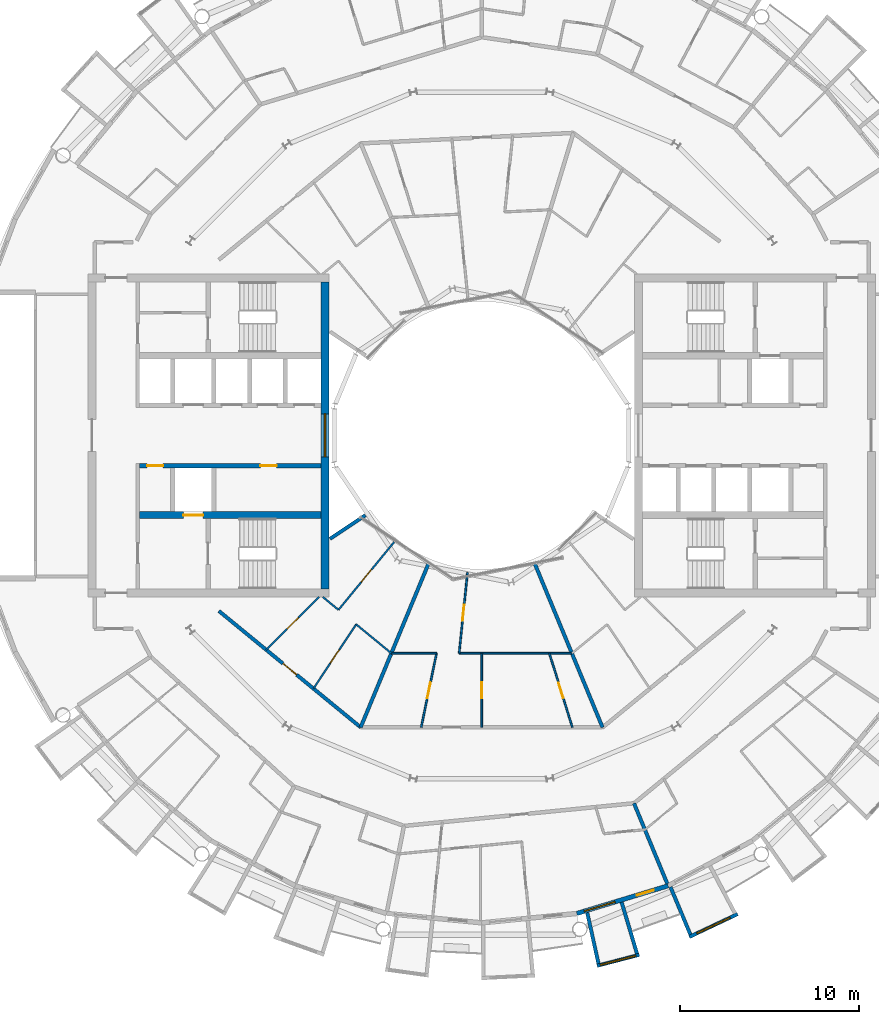
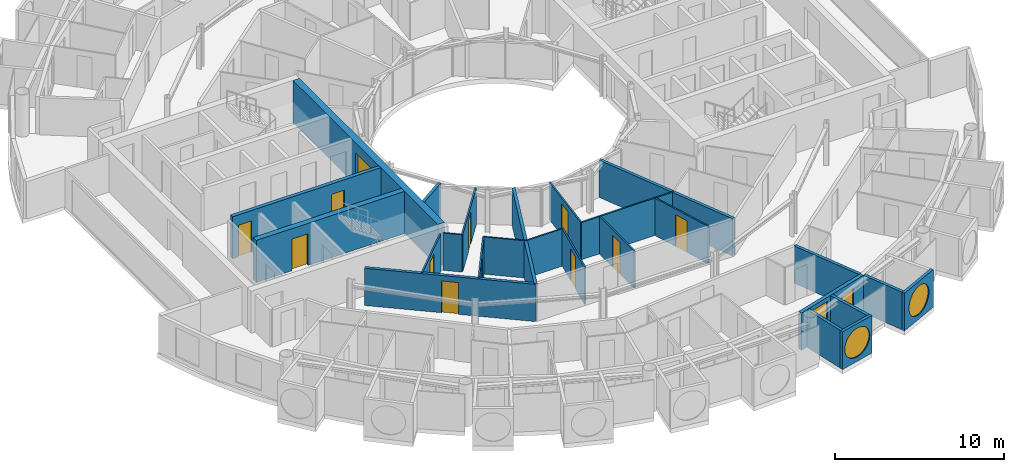
# One storey, part 17 of 29: 25 walls, 12 doors, 4 windows, 16 openings.
"""IFC4 building model written with IfcOpenShell, lengths in metres."""

from ifc_helpers import new_model, si_unit, direction, frame, frame_2d, origin, place, context, subcontext, project, spatial, rectangle, circle, extrude, material, layer, layer_set, type_object, element, fill, save


model = new_model("IFC4")

# Units and contexts
model_context = context("Model", 3, precision=1e-05, world=origin(), true_north=direction((0.0, 1.0)))
body_context = subcontext(model_context, "Body", "Model", "MODEL_VIEW")
ifc_project = project(units=[si_unit("LENGTHUNIT", "METRE"), si_unit("AREAUNIT", "SQUARE_METRE"), si_unit("VOLUMEUNIT", "CUBIC_METRE"), si_unit("PLANEANGLEUNIT", "RADIAN"), si_unit("MASSUNIT", "GRAM", prefix="KILO")], contexts=[model_context])

# Site, building, storey
site_placement = place(None, origin())
site = spatial("IfcSite", under=ifc_project, at=site_placement, CompositionType="ELEMENT")
building_placement = place(site_placement, origin())
building = spatial("IfcBuilding", under=site, at=building_placement, Name="Maasbend Ring Residences", CompositionType="ELEMENT")
storey_placement = place(building_placement, frame((0.0, 0.0, 202.39990234375)))
storey = spatial("IfcBuildingStorey", under=building, at=storey_placement, Name="L58", CompositionType="ELEMENT", Elevation=202.39990234375)

# Wall, openings, doors
ifc_material_1 = material(Name="Concrete C50/60", Category="concrete")
ifc_layer_1 = layer(ifc_material_1, 0.25)
ifc_layer_set_1 = layer_set([ifc_layer_1], Name="Concrete C50/60")
wall_type_1 = type_object("IfcWallType", Name="CORE WALL 250 C50/60", PredefinedType="SHEAR", material=ifc_layer_set_1)
wall_1_placement = place(storey_placement, frame((-9.0, -1.699951171875, 0.0), z_axis=(0.0, 0.0, 1.0), x_axis=(-1.0, 0.0, 0.0)))
wall_1 = element("IfcWall", 1, at=wall_1_placement, inside=storey, type_object=wall_type_1, Name="L58 core W wall SPN", PredefinedType="SHEAR", context=body_context, shape_type="SweptSolid", body=[
    extrude(rectangle(XDim=10.14990234375, YDim=0.25, at=frame_2d((5.074951171875, 0.0))), origin(), (0.0, 0.0, 1.0), 3.050048828125),
])
opening_1_placement = place(wall_1_placement, frame((2.487548828125, 0.0, 0.0)))
opening_1 = element("IfcOpeningElement", 2, at=opening_1_placement, cuts=wall_1, Name="Opening D-W5806", PredefinedType="OPENING", context=body_context, shape_type="SweptSolid", body=[
    extrude(rectangle(XDim=0.89990234375, YDim=2.300048828125, at=frame_2d((0.449951171875, 1.14990234375))), frame((0.0, 0.135009765625, 0.0), z_axis=(0.0, -1.0, 0.0), x_axis=(1.0, 0.0, 0.0)), (0.0, 0.0, 1.0), 0.27001953125),
])
opening_2_placement = place(wall_1_placement, frame((8.83740234375, 0.0, 0.0)))
opening_2 = element("IfcOpeningElement", 3, at=opening_2_placement, cuts=wall_1, Name="Opening D-W5807", PredefinedType="OPENING", context=body_context, shape_type="SweptSolid", body=[
    extrude(rectangle(XDim=0.89990234375, YDim=2.300048828125, at=frame_2d((0.449951171875, 1.14990234375))), frame((0.0, 0.135009765625, 0.0), z_axis=(0.0, -1.0, 0.0), x_axis=(1.0, 0.0, 0.0)), (0.0, 0.0, 1.0), 0.27001953125),
])
ifc_material_2 = material(Name="Steel, powder coated", Category="steel")
door_type_1 = type_object("IfcDoorType", Name="ROOM DOOR 900 X 2300 FD30S", OperationType="NOTDEFINED", PredefinedType="DOOR", material=ifc_material_2)
door_1_placement = place(opening_1_placement, origin())
door_1 = element("IfcDoor", 4, at=door_1_placement, inside=storey, type_object=door_type_1, Name="Room door L58", OperationType="SINGLE_SWING_RIGHT", OverallHeight=2.300048828125, OverallWidth=0.89990234375, PredefinedType="DOOR", context=body_context, shape_type="SweptSolid", body=[
    extrude(rectangle(XDim=0.89990234375, YDim=2.300048828125, at=frame_2d((0.449951171875, 1.14990234375))), frame((0.0, 0.02490234375, 0.0), z_axis=(0.0, -1.0, 0.0), x_axis=(1.0, 0.0, 0.0)), (0.0, 0.0, 1.0), 0.050048828125),
])
fill(opening_1, door_1)
door_2_placement = place(opening_2_placement, origin())
door_2 = element("IfcDoor", 5, at=door_2_placement, inside=storey, type_object=door_type_1, Name="Room door L58", OperationType="SINGLE_SWING_LEFT", OverallHeight=2.300048828125, OverallWidth=0.89990234375, PredefinedType="DOOR", context=body_context, shape_type="SweptSolid", body=[
    extrude(rectangle(XDim=0.89990234375, YDim=2.300048828125, at=frame_2d((0.449951171875, 1.14990234375))), frame((0.0, 0.02490234375, 0.0), z_axis=(0.0, -1.0, 0.0), x_axis=(1.0, 0.0, 0.0)), (0.0, 0.0, 1.0), 0.050048828125),
])
fill(opening_2, door_2)

# Wall, opening, door
ifc_material_3 = material(Name="Concrete C50/60", Category="concrete")
ifc_layer_2 = layer(ifc_material_3, 0.375)
ifc_layer_set_2 = layer_set([ifc_layer_2], Name="Concrete C50/60")
wall_type_2 = type_object("IfcWallType", Name="CORE WALL 375 C50/60", PredefinedType="SHEAR", material=ifc_layer_set_2)
wall_2_placement = place(storey_placement, frame((-9.0, -4.46240234375, 0.0), z_axis=(0.0, 0.0, 1.0), x_axis=(-1.0, 0.0, 0.0)))
wall_2 = element("IfcWall", 6, at=wall_2_placement, inside=storey, type_object=wall_type_2, Name="L58 core W wall BN", PredefinedType="SHEAR", context=body_context, shape_type="SweptSolid", body=[
    extrude(rectangle(XDim=10.14990234375, YDim=0.375, at=frame_2d((5.074951171875, 0.0))), origin(), (0.0, 0.0, 1.0), 3.050048828125),
])
opening_3_placement = place(wall_2_placement, frame((6.60009765625, 0.0, 0.0)))
opening_3 = element("IfcOpeningElement", 7, at=opening_3_placement, cuts=wall_2, Name="Opening LD-W5801", PredefinedType="OPENING", context=body_context, shape_type="SweptSolid", body=[
    extrude(rectangle(XDim=1.10009765625, YDim=2.300048828125, at=frame_2d((0.550048828125, 1.14990234375))), frame((0.0, 0.197509765625, 0.0), z_axis=(0.0, -1.0, 0.0), x_axis=(1.0, 0.0, 0.0)), (0.0, 0.0, 1.0), 0.39501953125),
])
ifc_material_4 = material(Name="Stainless steel 316", Category="steel")
door_type_2 = type_object("IfcDoorType", Name="LANDING DOOR 1100 X 2300 FD60", OperationType="DOUBLE_DOOR_SLIDING", PredefinedType="DOOR", material=ifc_material_4)
door_3_placement = place(opening_3_placement, origin())
door_3 = element("IfcDoor", 8, at=door_3_placement, inside=storey, type_object=door_type_2, Name="Landing door FF-W L58", OperationType="DOUBLE_DOOR_SLIDING", OverallHeight=2.300048828125, OverallWidth=1.10009765625, PredefinedType="DOOR", context=body_context, shape_type="SweptSolid", body=[
    extrude(rectangle(XDim=1.10009765625, YDim=2.300048828125, at=frame_2d((0.550048828125, 1.14990234375))), frame((0.0, 0.02490234375, 0.0), z_axis=(0.0, -1.0, 0.0), x_axis=(1.0, 0.0, 0.0)), (0.0, 0.0, 1.0), 0.050048828125),
])
fill(opening_3, door_3)

# Wall, opening, window
ifc_material_5 = material(Name="Concrete C50/60", Category="concrete")
ifc_layer_3 = layer(ifc_material_5, 0.449951171875)
ifc_layer_set_3 = layer_set([ifc_layer_3], Name="Concrete C50/60")
wall_type_3 = type_object("IfcWallType", Name="CORE WALL 450 C50/60", PredefinedType="SHEAR", material=ifc_layer_set_3)
wall_3_placement = place(storey_placement, frame((-8.77490234375, 8.60009765625, 0.0), z_axis=(0.0, 0.0, 1.0), x_axis=(0.0, -1.0, 0.0)))
wall_3 = element("IfcWall", 9, at=wall_3_placement, inside=storey, type_object=wall_type_3, Name="L58 core W wall PIN", PredefinedType="SHEAR", context=body_context, shape_type="SweptSolid", body=[
    extrude(rectangle(XDim=17.2001953125, YDim=0.449951171875, at=frame_2d((8.60009765625, 0.0))), origin(), (0.0, 0.0, 1.0), 3.050048828125),
])
opening_4_placement = place(wall_3_placement, frame((7.39990234375, 0.0, 0.10009765625)))
opening_4 = element("IfcOpeningElement", 10, at=opening_4_placement, cuts=wall_3, Name="Opening W-W5801", PredefinedType="OPENING", context=body_context, shape_type="SweptSolid", body=[
    extrude(rectangle(XDim=2.39990234375, YDim=2.199951171875, at=frame_2d((1.199951171875, 1.10009765625))), frame((0.0, 0.23486328125, 0.0), z_axis=(0.0, -1.0, 0.0), x_axis=(1.0, 0.0, 0.0)), (0.0, 0.0, 1.0), 0.469970703125),
])
ifc_material_6 = material(Name="Aluminium frame and clear glass", Category="aluminium")
window_type_1 = type_object("IfcWindowType", Name="FIXED WINDOW 2400 X 2200", PartitioningType="SINGLE_PANEL", PredefinedType="WINDOW", material=ifc_material_6)
window_1_placement = place(opening_4_placement, origin())
window_1 = element("IfcWindow", 11, at=window_1_placement, inside=storey, type_object=window_type_1, Name="Lobby window L58", OverallHeight=2.199951171875, OverallWidth=2.39990234375, PartitioningType="SINGLE_PANEL", PredefinedType="WINDOW", context=body_context, shape_type="SweptSolid", body=[
    extrude(rectangle(XDim=2.39990234375, YDim=2.199951171875, at=frame_2d((1.199951171875, 1.10009765625))), frame((0.0, 0.030029296875, 0.0), z_axis=(0.0, -1.0, 0.0), x_axis=(1.0, 0.0, 0.0)), (0.0, 0.0, 1.0), 0.06005859375),
])
fill(opening_4, window_1)

# Wall, opening, door
ifc_material_7 = material(Name="Concrete C30/37", Category="concrete")
ifc_layer_4 = layer(ifc_material_7, 0.199951171875)
ifc_layer_set_4 = layer_set([ifc_layer_4], Name="Concrete C30/37")
wall_type_4 = type_object("IfcWallType", Name="CORRIDOR WALL 200 CONCRETE", PredefinedType="PARTITIONING", material=ifc_layer_set_4)
wall_4_placement = place(storey_placement, frame((-14.717041015625, -9.833984375, 0.0), z_axis=(0.0, 0.0, 1.0), x_axis=(0.773034536097, -0.634363938131, 0.0)))
wall_4 = element("IfcWall", 12, at=wall_4_placement, inside=storey, type_object=wall_type_4, Name="U-L58-w017", PredefinedType="PARTITIONING", context=body_context, shape_type="SweptSolid", body=[
    extrude(rectangle(XDim=10.276611328125, YDim=0.199951171875, at=frame_2d((5.13818359375, 0.0))), origin(), (0.0, 0.0, 1.0), 2.7001953125),
])
opening_5_placement = place(wall_4_placement, frame((4.637939453125, 0.0, 0.0)))
opening_5 = element("IfcOpeningElement", 13, at=opening_5_placement, cuts=wall_4, Name="Opening D-5855", PredefinedType="OPENING", context=body_context, shape_type="SweptSolid", body=[
    extrude(rectangle(XDim=1.0, YDim=2.300048828125, at=frame_2d((0.5, 1.14990234375))), frame((0.0, 0.10986328125, 0.0), z_axis=(0.0, -1.0, 0.0), x_axis=(1.0, 0.0, 0.0)), (0.0, 0.0, 1.0), 0.219970703125),
])
ifc_material_8 = material(Name="Timber, fire-rated, painted", Category="wood")
door_type_3 = type_object("IfcDoorType", Name="FLAT ENTRANCE DOOR 1000 X 2300 FIRE-RATED", OperationType="NOTDEFINED", PredefinedType="DOOR", material=ifc_material_8)
door_4_placement = place(opening_5_placement, origin())
door_4 = element("IfcDoor", 14, at=door_4_placement, inside=storey, type_object=door_type_3, Name="D-5855", OperationType="SINGLE_SWING_LEFT", OverallHeight=2.300048828125, OverallWidth=1.0, PredefinedType="DOOR", context=body_context, shape_type="SweptSolid", body=[
    extrude(rectangle(XDim=1.0, YDim=2.300048828125, at=frame_2d((0.5, 1.14990234375))), frame((0.0, 0.02490234375, 0.0), z_axis=(0.0, -1.0, 0.0), x_axis=(1.0, 0.0, 0.0)), (0.0, 0.0, 1.0), 0.050048828125),
])
fill(opening_5, door_4)

# Wall, opening, window
ifc_material_9 = material(Name="Pale anodised aluminium panel", Category="aluminium")
ifc_layer_5 = layer(ifc_material_9, 0.199951171875)
ifc_layer_set_5 = layer_set([ifc_layer_5], Name="EW-BOX")
wall_type_5 = type_object("IfcWallType", Name="EW-BOX", PredefinedType="SOLIDWALL", material=ifc_layer_set_5)
wall_5_placement = place(storey_placement, frame((6.4609375, -29.705078125, -0.02978515625), z_axis=(0.0, 0.0, 1.0), x_axis=(0.96789536872, 0.251353446784, 0.0)))
wall_5 = element("IfcWall", 15, at=wall_5_placement, inside=storey, type_object=wall_type_5, Name="Box front S13", PredefinedType="SOLIDWALL", context=body_context, shape_type="SweptSolid", body=[
    extrude(rectangle(XDim=2.44677734375, YDim=0.199951171875, at=frame_2d((1.223388671875, 0.0))), origin(), (0.0, 0.0, 1.0), 2.72998046875),
])
opening_6_placement = place(wall_5_placement, frame((0.182861328125, 0.0, 0.330078125)))
opening_6 = element("IfcOpeningElement", 16, at=opening_6_placement, cuts=wall_5, Name="Opening W-RD", PredefinedType="OPENING", context=body_context, shape_type="SweptSolid", body=[
    extrude(circle(Radius=1.0400390625, at=frame_2d((1.0400390625, 1.0400390625))), frame((0.0, 0.10986328125, 0.0), z_axis=(0.0, -1.0, 0.0), x_axis=(1.0, 0.0, 0.0)), (0.0, 0.0, 1.0), 0.219970703125),
])
ifc_material_10 = material(Name="Aluminium and clear glass", Category="aluminium")
window_type_2 = type_object("IfcWindowType", Name="W-RD", PartitioningType="SINGLE_PANEL", PredefinedType="WINDOW", material=ifc_material_10)
window_2_placement = place(opening_6_placement, origin())
window_2 = element("IfcWindow", 17, at=window_2_placement, inside=storey, type_object=window_type_2, Name="Round window S13", OverallHeight=2.080078125, OverallWidth=2.080078125, PartitioningType="SINGLE_PANEL", PredefinedType="WINDOW", context=body_context, shape_type="SweptSolid", body=[
    extrude(circle(Radius=1.0400390625, at=frame_2d((1.0400390625, 1.0400390625))), frame((0.0, 0.030029296875, 0.0), z_axis=(0.0, -1.0, 0.0), x_axis=(1.0, 0.0, 0.0)), (0.0, 0.0, 1.0), 0.06005859375),
])
fill(opening_6, window_2)

# Walls
wall_6_placement = place(storey_placement, frame((5.908935546875, -26.72900390625, -0.02978515625), z_axis=(0.0, 0.0, 1.0), x_axis=(0.216409053917, -0.976302781612, 0.0)))
element("IfcWall", 18, at=wall_6_placement, inside=storey, type_object=wall_type_5, Name="Box side wall S13 left", PredefinedType="SOLIDWALL", context=body_context, shape_type="SweptSolid", body=[
    extrude(rectangle(XDim=2.92529296875, YDim=0.199951171875, at=frame_2d((1.462646484375, 0.0))), origin(), (0.0, 0.0, 1.0), 2.72998046875),
])
wall_7_placement = place(storey_placement, frame((7.8369140625, -26.14404296875, -0.02978515625), z_axis=(0.0, 0.0, 1.0), x_axis=(0.287064767992, -0.957911174889, 0.0)))
element("IfcWall", 19, at=wall_7_placement, inside=storey, type_object=wall_type_5, Name="Box side wall S13 right", PredefinedType="SOLIDWALL", context=body_context, shape_type="SweptSolid", body=[
    extrude(rectangle(XDim=3.00634765625, YDim=0.199951171875, at=frame_2d((1.503173828125, 0.0))), origin(), (0.0, 0.0, 1.0), 2.72998046875),
])

# Wall, opening, window
wall_8_placement = place(storey_placement, frame((11.62890625, -28.087890625, -0.02978515625), z_axis=(0.0, 0.0, 1.0), x_axis=(0.904000060331, 0.427532327342, 0.0)))
wall_8 = element("IfcWall", 20, at=wall_8_placement, inside=storey, type_object=wall_type_5, Name="Box front S15", PredefinedType="SOLIDWALL", context=body_context, shape_type="SweptSolid", body=[
    extrude(rectangle(XDim=2.993408203125, YDim=0.199951171875, at=frame_2d((1.49658203125, 0.0))), origin(), (0.0, 0.0, 1.0), 2.72998046875),
])
opening_7_placement = place(wall_8_placement, frame((0.45654296875, 0.0, 0.330078125)))
opening_7 = element("IfcOpeningElement", 21, at=opening_7_placement, cuts=wall_8, Name="Opening W-RD", PredefinedType="OPENING", context=body_context, shape_type="SweptSolid", body=[
    extrude(circle(Radius=1.0400390625, at=frame_2d((1.0400390625, 1.0400390625))), frame((0.0, 0.10986328125, 0.0), z_axis=(0.0, -1.0, 0.0), x_axis=(1.0, 0.0, 0.0)), (0.0, 0.0, 1.0), 0.219970703125),
])
window_3_placement = place(opening_7_placement, origin())
window_3 = element("IfcWindow", 22, at=window_3_placement, inside=storey, type_object=window_type_2, Name="Round window S15", OverallHeight=2.080078125, OverallWidth=2.080078125, PartitioningType="SINGLE_PANEL", PredefinedType="WINDOW", context=body_context, shape_type="SweptSolid", body=[
    extrude(circle(Radius=1.0400390625, at=frame_2d((1.0400390625, 1.0400390625))), frame((0.0, 0.030029296875, 0.0), z_axis=(0.0, -1.0, 0.0), x_axis=(1.0, 0.0, 0.0)), (0.0, 0.0, 1.0), 0.06005859375),
])
fill(opening_7, window_3)

# Wall
wall_9_placement = place(storey_placement, frame((10.574951171875, -25.294921875, -0.02978515625), z_axis=(0.0, 0.0, 1.0), x_axis=(0.385697364644, -0.922625353492, 0.0)))
element("IfcWall", 23, at=wall_9_placement, inside=storey, type_object=wall_type_5, Name="Box side wall S15 left", PredefinedType="SOLIDWALL", context=body_context, shape_type="SweptSolid", body=[
    extrude(rectangle(XDim=2.88330078125, YDim=0.199951171875, at=frame_2d((1.441650390625, 0.0))), origin(), (0.0, 0.0, 1.0), 2.72998046875),
])

# Wall, openings, door, window
ifc_material_11 = material(Name="Aluminium clad insulated panel", Category="aluminium")
ifc_layer_6 = layer(ifc_material_11, 0.25)
ifc_layer_set_6 = layer_set([ifc_layer_6], Name="EW-GL")
wall_type_6 = type_object("IfcWallType", Name="EW-GL", PredefinedType="SOLIDWALL", material=ifc_layer_set_6)
wall_10_placement = place(storey_placement, frame((5.325927734375, -26.77490234375, 0.0), z_axis=(0.0, 0.0, 1.0), x_axis=(0.956965678721, 0.290201119486, 0.0)))
wall_10 = element("IfcWall", 24, at=wall_10_placement, inside=storey, type_object=wall_type_6, Name="External wall S07", PredefinedType="SOLIDWALL", context=body_context, shape_type="SweptSolid", body=[
    extrude(rectangle(XDim=5.351318359375, YDim=0.25, at=frame_2d((2.67578125, 0.0))), origin(), (0.0, 0.0, 1.0), 2.7001953125),
])
opening_8_placement = place(wall_10_placement, frame((0.441162109375, 0.0, 0.300048828125)))
opening_8 = element("IfcOpeningElement", 25, at=opening_8_placement, cuts=wall_10, Name="Opening W-BX", PredefinedType="OPENING", context=body_context, shape_type="SweptSolid", body=[
    extrude(rectangle(XDim=1.800048828125, YDim=2.10009765625, at=frame_2d((0.89990234375, 1.050048828125))), frame((0.0, 0.135009765625, 0.0), z_axis=(0.0, -1.0, 0.0), x_axis=(1.0, 0.0, 0.0)), (0.0, 0.0, 1.0), 0.27001953125),
])
opening_9_placement = place(wall_10_placement, frame((3.510498046875, 0.0, 0.0)))
opening_9 = element("IfcOpeningElement", 26, at=opening_9_placement, cuts=wall_10, Name="Opening D-LG", PredefinedType="OPENING", context=body_context, shape_type="SweptSolid", body=[
    extrude(rectangle(XDim=1.0, YDim=2.199951171875, at=frame_2d((0.5, 1.10009765625))), frame((0.0, 0.135009765625, 0.0), z_axis=(0.0, -1.0, 0.0), x_axis=(1.0, 0.0, 0.0)), (0.0, 0.0, 1.0), 0.27001953125),
])
ifc_material_12 = material(Name="Aluminium and clear glass", Category="aluminium")
door_type_4 = type_object("IfcDoorType", Name="D-LG", OperationType="SINGLE_SWING_LEFT", PredefinedType="DOOR", material=ifc_material_12)
door_5_placement = place(opening_9_placement, origin())
door_5 = element("IfcDoor", 27, at=door_5_placement, inside=storey, type_object=door_type_4, Name="Loggia door S14", OperationType="SINGLE_SWING_LEFT", OverallHeight=2.199951171875, OverallWidth=1.0, PredefinedType="DOOR", context=body_context, shape_type="SweptSolid", body=[
    extrude(rectangle(XDim=1.0, YDim=2.199951171875, at=frame_2d((0.5, 1.10009765625))), frame((0.0, 0.02490234375, 0.0), z_axis=(0.0, -1.0, 0.0), x_axis=(1.0, 0.0, 0.0)), (0.0, 0.0, 1.0), 0.050048828125),
])
fill(opening_9, door_5)
ifc_material_13 = material(Name="Aluminium and clear glass", Category="aluminium")
window_type_3 = type_object("IfcWindowType", Name="W-BX", PartitioningType="DOUBLE_PANEL_VERTICAL", PredefinedType="WINDOW", material=ifc_material_13)
window_4_placement = place(opening_8_placement, origin())
window_4 = element("IfcWindow", 28, at=window_4_placement, inside=storey, type_object=window_type_3, Name="Window S13 room to box", OverallHeight=2.10009765625, OverallWidth=1.800048828125, PartitioningType="SINGLE_PANEL", PredefinedType="WINDOW", context=body_context, shape_type="SweptSolid", body=[
    extrude(rectangle(XDim=1.800048828125, YDim=2.10009765625, at=frame_2d((0.89990234375, 1.050048828125))), frame((0.0, 0.030029296875, 0.0), z_axis=(0.0, -1.0, 0.0), x_axis=(1.0, 0.0, 0.0)), (0.0, 0.0, 1.0), 0.06005859375),
])
fill(opening_8, window_4)

# Walls
ifc_material_14 = material(Name="Gypsum board on steel studs", Category="steel")
ifc_layer_7 = layer(ifc_material_14, 0.10009765625)
ifc_layer_set_7 = layer_set([ifc_layer_7], Name="PARTITION 100 GYPSUM")
wall_type_7 = type_object("IfcWallType", Name="PARTITION 100 GYPSUM", PredefinedType="PARTITIONING", material=ifc_layer_set_7)
wall_11_placement = place(storey_placement, frame((-8.90087890625, -9.047119140625, 0.0), z_axis=(0.0, 0.0, 1.0), x_axis=(0.772786083133, -0.634666581534, 0.0)))
element("IfcWall", 29, at=wall_11_placement, inside=storey, type_object=wall_type_7, Name="U-L58-w020", PredefinedType="PARTITIONING", context=body_context, shape_type="SweptSolid", body=[
    extrude(rectangle(XDim=1.1435546875, YDim=0.10009765625, at=frame_2d((0.57177734375, 0.0))), origin(), (0.0, 0.0, 1.0), 2.7001953125),
])
wall_12_placement = place(storey_placement, frame((-7.031005859375, -10.58203125, 0.0), z_axis=(0.0, 0.0, 1.0), x_axis=(0.772943675046, -0.634474645046, 0.0)))
element("IfcWall", 30, at=wall_12_placement, inside=storey, type_object=wall_type_7, Name="U-L58-w021", PredefinedType="PARTITIONING", context=body_context, shape_type="SweptSolid", body=[
    extrude(rectangle(XDim=2.556640625, YDim=0.10009765625, at=frame_2d((1.2783203125, 0.0))), origin(), (0.0, 0.0, 1.0), 2.7001953125),
])
wall_13_placement = place(storey_placement, frame((-5.054931640625, -12.2041015625, 0.0), z_axis=(0.0, 0.0, 1.0), x_axis=(1.0, 0.0, 0.0)))
element("IfcWall", 31, at=wall_13_placement, inside=storey, type_object=wall_type_7, Name="U-L58-w024", PredefinedType="PARTITIONING", context=body_context, shape_type="SweptSolid", body=[
    extrude(rectangle(XDim=2.52783203125, YDim=0.10009765625, at=frame_2d((1.263916015625, 0.0))), origin(), (0.0, 0.0, 1.0), 2.7001953125),
])
wall_14_placement = place(storey_placement, frame((-1.263916015625, -12.2041015625, 0.0), z_axis=(0.0, 0.0, 1.0), x_axis=(1.0, 0.0, 0.0)))
element("IfcWall", 32, at=wall_14_placement, inside=storey, type_object=wall_type_7, Name="U-L58-w025", PredefinedType="PARTITIONING", context=body_context, shape_type="SweptSolid", body=[
    extrude(rectangle(XDim=6.31884765625, YDim=0.10009765625, at=frame_2d((3.159423828125, 0.0))), origin(), (0.0, 0.0, 1.0), 2.7001953125),
])

# Wall, opening, door
wall_15_placement = place(storey_placement, frame((-12.069091796875, -12.007080078125, 0.0), z_axis=(0.0, 0.0, 1.0), x_axis=(0.708909651863, 0.705299302067, 0.0)))
wall_15 = element("IfcWall", 33, at=wall_15_placement, inside=storey, type_object=wall_type_7, Name="U-L58-w045", PredefinedType="PARTITIONING", context=body_context, shape_type="SweptSolid", body=[
    extrude(rectangle(XDim=4.192626953125, YDim=0.10009765625, at=frame_2d((2.09619140625, 0.0))), origin(), (0.0, 0.0, 1.0), 2.7001953125),
])
opening_10_placement = place(wall_15_placement, frame((1.64599609375, 0.0, 0.0)))
opening_10 = element("IfcOpeningElement", 34, at=opening_10_placement, cuts=wall_15, Name="Opening D-5857", PredefinedType="OPENING", context=body_context, shape_type="SweptSolid", body=[
    extrude(rectangle(XDim=0.89990234375, YDim=2.300048828125, at=frame_2d((0.449951171875, 1.14990234375))), frame((0.0, 0.06005859375, 0.0), z_axis=(0.0, -1.0, 0.0), x_axis=(1.0, 0.0, 0.0)), (0.0, 0.0, 1.0), 0.1201171875),
])
ifc_material_15 = material(Name="Timber, painted", Category="wood")
door_type_5 = type_object("IfcDoorType", Name="INTERNAL DOOR 900 X 2300", OperationType="NOTDEFINED", PredefinedType="DOOR", material=ifc_material_15)
door_6_placement = place(opening_10_placement, origin())
door_6 = element("IfcDoor", 35, at=door_6_placement, inside=storey, type_object=door_type_5, Name="D-5857", OperationType="SINGLE_SWING_LEFT", OverallHeight=2.300048828125, OverallWidth=0.89990234375, PredefinedType="DOOR", context=body_context, shape_type="SweptSolid", body=[
    extrude(rectangle(XDim=0.89990234375, YDim=2.300048828125, at=frame_2d((0.449951171875, 1.14990234375))), frame((0.0, 0.02490234375, 0.0), z_axis=(0.0, -1.0, 0.0), x_axis=(1.0, 0.0, 0.0)), (0.0, 0.0, 1.0), 0.050048828125),
])
fill(opening_10, door_6)

wall_16_placement = place(storey_placement, frame((-9.4208984375, -14.179931640625, 0.0), z_axis=(0.0, 0.0, 1.0), x_axis=(0.553303732327, 0.832979579457, 0.0)))
wall_16 = element("IfcWall", 36, at=wall_16_placement, inside=storey, type_object=wall_type_7, Name="U-L58-w048", PredefinedType="PARTITIONING", context=body_context, shape_type="SweptSolid", body=[
    extrude(rectangle(XDim=4.3193359375, YDim=0.10009765625, at=frame_2d((2.15966796875, 0.0))), origin(), (0.0, 0.0, 1.0), 2.7001953125),
])
opening_11_placement = place(wall_16_placement, frame((1.7099609375, 0.0, 0.0)))
opening_11 = element("IfcOpeningElement", 37, at=opening_11_placement, cuts=wall_16, Name="Opening D-5856", PredefinedType="OPENING", context=body_context, shape_type="SweptSolid", body=[
    extrude(rectangle(XDim=0.89990234375, YDim=2.300048828125, at=frame_2d((0.449951171875, 1.14990234375))), frame((0.0, 0.06005859375, 0.0), z_axis=(0.0, -1.0, 0.0), x_axis=(1.0, 0.0, 0.0)), (0.0, 0.0, 1.0), 0.1201171875),
])
door_7_placement = place(opening_11_placement, origin())
door_7 = element("IfcDoor", 38, at=door_7_placement, inside=storey, type_object=door_type_5, Name="D-5856", OperationType="SINGLE_SWING_RIGHT", OverallHeight=2.300048828125, OverallWidth=0.89990234375, PredefinedType="DOOR", context=body_context, shape_type="SweptSolid", body=[
    extrude(rectangle(XDim=0.89990234375, YDim=2.300048828125, at=frame_2d((0.449951171875, 1.14990234375))), frame((0.0, 0.02490234375, 0.0), z_axis=(0.0, -1.0, 0.0), x_axis=(1.0, 0.0, 0.0)), (0.0, 0.0, 1.0), 0.050048828125),
])
fill(opening_11, door_7)

wall_17_placement = place(storey_placement, frame((-8.01904296875, -9.77099609375, 0.0), z_axis=(0.0, 0.0, 1.0), x_axis=(0.634401778971, 0.773003481776, 0.0)))
wall_17 = element("IfcWall", 39, at=wall_17_placement, inside=storey, type_object=wall_type_7, Name="U-L58-w050", PredefinedType="PARTITIONING", context=body_context, shape_type="SweptSolid", body=[
    extrude(rectangle(XDim=4.919677734375, YDim=0.10009765625, at=frame_2d((2.4599609375, 0.0))), origin(), (0.0, 0.0, 1.0), 2.7001953125),
])
opening_12_placement = place(wall_17_placement, frame((2.010009765625, 0.0, 0.0)))
opening_12 = element("IfcOpeningElement", 40, at=opening_12_placement, cuts=wall_17, Name="Opening D-5858", PredefinedType="OPENING", context=body_context, shape_type="SweptSolid", body=[
    extrude(rectangle(XDim=0.89990234375, YDim=2.300048828125, at=frame_2d((0.449951171875, 1.14990234375))), frame((0.0, 0.06005859375, 0.0), z_axis=(0.0, -1.0, 0.0), x_axis=(1.0, 0.0, 0.0)), (0.0, 0.0, 1.0), 0.1201171875),
])
door_8_placement = place(opening_12_placement, origin())
door_8 = element("IfcDoor", 41, at=door_8_placement, inside=storey, type_object=door_type_5, Name="D-5858", OperationType="SINGLE_SWING_LEFT", OverallHeight=2.300048828125, OverallWidth=0.89990234375, PredefinedType="DOOR", context=body_context, shape_type="SweptSolid", body=[
    extrude(rectangle(XDim=0.89990234375, YDim=2.300048828125, at=frame_2d((0.449951171875, 1.14990234375))), frame((0.0, 0.02490234375, 0.0), z_axis=(0.0, -1.0, 0.0), x_axis=(1.0, 0.0, 0.0)), (0.0, 0.0, 1.0), 0.050048828125),
])
fill(opening_12, door_8)

wall_18_placement = place(storey_placement, frame((-3.386962890625, -16.35302734375, 0.0), z_axis=(0.0, 0.0, 1.0), x_axis=(0.202937120105, 0.979191771454, 0.0)))
wall_18 = element("IfcWall", 42, at=wall_18_placement, inside=storey, type_object=wall_type_7, Name="U-L58-w057", PredefinedType="PARTITIONING", context=body_context, shape_type="SweptSolid", body=[
    extrude(rectangle(XDim=4.237060546875, YDim=0.10009765625, at=frame_2d((2.11865234375, 0.0))), origin(), (0.0, 0.0, 1.0), 2.7001953125),
])
opening_13_placement = place(wall_18_placement, frame((1.6689453125, 0.0, 0.0)))
opening_13 = element("IfcOpeningElement", 43, at=opening_13_placement, cuts=wall_18, Name="Opening D-5860", PredefinedType="OPENING", context=body_context, shape_type="SweptSolid", body=[
    extrude(rectangle(XDim=0.89990234375, YDim=2.300048828125, at=frame_2d((0.449951171875, 1.14990234375))), frame((0.0, 0.06005859375, 0.0), z_axis=(0.0, -1.0, 0.0), x_axis=(1.0, 0.0, 0.0)), (0.0, 0.0, 1.0), 0.1201171875),
])
door_9_placement = place(opening_13_placement, origin())
door_9 = element("IfcDoor", 44, at=door_9_placement, inside=storey, type_object=door_type_5, Name="D-5860", OperationType="SINGLE_SWING_LEFT", OverallHeight=2.300048828125, OverallWidth=0.89990234375, PredefinedType="DOOR", context=body_context, shape_type="SweptSolid", body=[
    extrude(rectangle(XDim=0.89990234375, YDim=2.300048828125, at=frame_2d((0.449951171875, 1.14990234375))), frame((0.0, 0.02490234375, 0.0), z_axis=(0.0, -1.0, 0.0), x_axis=(1.0, 0.0, 0.0)), (0.0, 0.0, 1.0), 0.050048828125),
])
fill(opening_13, door_9)

wall_19_placement = place(storey_placement, frame((-1.260986328125, -12.2041015625, 0.0), z_axis=(0.0, 0.0, 1.0), x_axis=(0.102877179684, 0.994694066485, 0.0)))
wall_19 = element("IfcWall", 45, at=wall_19_placement, inside=storey, type_object=wall_type_7, Name="U-L58-w061", PredefinedType="PARTITIONING", context=body_context, shape_type="SweptSolid", body=[
    extrude(rectangle(XDim=4.54931640625, YDim=0.10009765625, at=frame_2d((2.274658203125, 0.0))), origin(), (0.0, 0.0, 1.0), 2.7001953125),
])
opening_14_placement = place(wall_19_placement, frame((1.823974609375, 0.0, 0.0)))
opening_14 = element("IfcOpeningElement", 46, at=opening_14_placement, cuts=wall_19, Name="Opening D-5863", PredefinedType="OPENING", context=body_context, shape_type="SweptSolid", body=[
    extrude(rectangle(XDim=0.89990234375, YDim=2.300048828125, at=frame_2d((0.449951171875, 1.14990234375))), frame((0.0, 0.06005859375, 0.0), z_axis=(0.0, -1.0, 0.0), x_axis=(1.0, 0.0, 0.0)), (0.0, 0.0, 1.0), 0.1201171875),
])
door_10_placement = place(opening_14_placement, origin())
door_10 = element("IfcDoor", 47, at=door_10_placement, inside=storey, type_object=door_type_5, Name="D-5863", OperationType="SINGLE_SWING_LEFT", OverallHeight=2.300048828125, OverallWidth=0.89990234375, PredefinedType="DOOR", context=body_context, shape_type="SweptSolid", body=[
    extrude(rectangle(XDim=0.89990234375, YDim=2.300048828125, at=frame_2d((0.449951171875, 1.14990234375))), frame((0.0, 0.02490234375, 0.0), z_axis=(0.0, -1.0, 0.0), x_axis=(1.0, 0.0, 0.0)), (0.0, 0.0, 1.0), 0.050048828125),
])
fill(opening_14, door_10)

wall_20_placement = place(storey_placement, frame((0.0, -16.35302734375, 0.0), z_axis=(0.0, 0.0, 1.0), x_axis=(0.0, 1.0, 0.0)))
wall_20 = element("IfcWall", 48, at=wall_20_placement, inside=storey, type_object=wall_type_7, Name="U-L58-w063", PredefinedType="PARTITIONING", context=body_context, shape_type="SweptSolid", body=[
    extrude(rectangle(XDim=4.14892578125, YDim=0.10009765625, at=frame_2d((2.074462890625, 0.0))), origin(), (0.0, 0.0, 1.0), 2.7001953125),
])
opening_15_placement = place(wall_20_placement, frame((1.625, 0.0, 0.0)))
opening_15 = element("IfcOpeningElement", 49, at=opening_15_placement, cuts=wall_20, Name="Opening D-5861", PredefinedType="OPENING", context=body_context, shape_type="SweptSolid", body=[
    extrude(rectangle(XDim=0.89990234375, YDim=2.300048828125, at=frame_2d((0.449951171875, 1.14990234375))), frame((0.0, 0.06005859375, 0.0), z_axis=(0.0, -1.0, 0.0), x_axis=(1.0, 0.0, 0.0)), (0.0, 0.0, 1.0), 0.1201171875),
])
door_11_placement = place(opening_15_placement, origin())
door_11 = element("IfcDoor", 50, at=door_11_placement, inside=storey, type_object=door_type_5, Name="D-5861", OperationType="SINGLE_SWING_RIGHT", OverallHeight=2.300048828125, OverallWidth=0.89990234375, PredefinedType="DOOR", context=body_context, shape_type="SweptSolid", body=[
    extrude(rectangle(XDim=0.89990234375, YDim=2.300048828125, at=frame_2d((0.449951171875, 1.14990234375))), frame((0.0, 0.02490234375, 0.0), z_axis=(0.0, -1.0, 0.0), x_axis=(1.0, 0.0, 0.0)), (0.0, 0.0, 1.0), 0.050048828125),
])
fill(opening_15, door_11)

wall_21_placement = place(storey_placement, frame((3.791015625, -12.2041015625, 0.0), z_axis=(0.0, 0.0, 1.0), x_axis=(0.29670674532, -0.954968642041, 0.0)))
wall_21 = element("IfcWall", 51, at=wall_21_placement, inside=storey, type_object=wall_type_7, Name="U-L58-w070", PredefinedType="PARTITIONING", context=body_context, shape_type="SweptSolid", body=[
    extrude(rectangle(XDim=4.344482421875, YDim=0.10009765625, at=frame_2d((2.17236328125, 0.0))), origin(), (0.0, 0.0, 1.0), 2.7001953125),
])
opening_16_placement = place(wall_21_placement, frame((1.721923828125, 0.0, 0.0)))
opening_16 = element("IfcOpeningElement", 52, at=opening_16_placement, cuts=wall_21, Name="Opening D-5862", PredefinedType="OPENING", context=body_context, shape_type="SweptSolid", body=[
    extrude(rectangle(XDim=0.89990234375, YDim=2.300048828125, at=frame_2d((0.449951171875, 1.14990234375))), frame((0.0, 0.06005859375, 0.0), z_axis=(0.0, -1.0, 0.0), x_axis=(1.0, 0.0, 0.0)), (0.0, 0.0, 1.0), 0.1201171875),
])
door_12_placement = place(opening_16_placement, origin())
door_12 = element("IfcDoor", 53, at=door_12_placement, inside=storey, type_object=door_type_5, Name="D-5862", OperationType="SINGLE_SWING_RIGHT", OverallHeight=2.300048828125, OverallWidth=0.89990234375, PredefinedType="DOOR", context=body_context, shape_type="SweptSolid", body=[
    extrude(rectangle(XDim=0.89990234375, YDim=2.300048828125, at=frame_2d((0.449951171875, 1.14990234375))), frame((0.0, 0.02490234375, 0.0), z_axis=(0.0, -1.0, 0.0), x_axis=(1.0, 0.0, 0.0)), (0.0, 0.0, 1.0), 0.050048828125),
])
fill(opening_16, door_12)

# Walls
ifc_material_16 = material(Name="Concrete C30/37", Category="concrete")
ifc_layer_8 = layer(ifc_material_16, 0.199951171875)
ifc_layer_set_8 = layer_set([ifc_layer_8], Name="Concrete C30/37")
wall_type_8 = type_object("IfcWallType", Name="PARTY WALL 200 CONCRETE", PredefinedType="PARTITIONING", material=ifc_layer_set_8)
wall_22_placement = place(storey_placement, frame((-6.512939453125, -4.471923828125, 0.0), z_axis=(0.0, 0.0, 1.0), x_axis=(-0.831403409976, -0.555669299026, 0.0)))
element("IfcWall", 54, at=wall_22_placement, inside=storey, type_object=wall_type_8, Name="U-L58-w028", PredefinedType="PARTITIONING", context=body_context, shape_type="SweptSolid", body=[
    extrude(rectangle(XDim=2.382568359375, YDim=0.199951171875, at=frame_2d((1.19140625, 0.0))), origin(), (0.0, 0.0, 1.0), 2.7001953125),
])
wall_23_placement = place(storey_placement, frame((-6.778076171875, -16.35107421875, 0.0), z_axis=(0.0, 0.0, 1.0), x_axis=(0.382938658032, 0.923773773272, 0.0)))
element("IfcWall", 55, at=wall_23_placement, inside=storey, type_object=wall_type_8, Name="U-L58-w053", PredefinedType="PARTITIONING", context=body_context, shape_type="SweptSolid", body=[
    extrude(rectangle(XDim=9.980712890625, YDim=0.199951171875, at=frame_2d((4.990234375, 0.0))), origin(), (0.0, 0.0, 1.0), 2.7001953125),
])
wall_24_placement = place(storey_placement, frame((2.951904296875, -7.133056640625, 0.0), z_axis=(0.0, 0.0, 1.0), x_axis=(0.382570007985, -0.923926506271, 0.0)))
element("IfcWall", 56, at=wall_24_placement, inside=storey, type_object=wall_type_8, Name="U-L58-w069", PredefinedType="PARTITIONING", context=body_context, shape_type="SweptSolid", body=[
    extrude(rectangle(XDim=9.980224609375, YDim=0.199951171875, at=frame_2d((4.990234375, 0.0))), origin(), (0.0, 0.0, 1.0), 2.7001953125),
])
wall_25_placement = place(storey_placement, frame((8.530029296875, -20.60498046875, 0.0), z_axis=(0.0, 0.0, 1.0), x_axis=(0.382651153718, -0.923892902104, 0.0)))
element("IfcWall", 57, at=wall_25_placement, inside=storey, type_object=wall_type_8, Name="U-L58-w077", PredefinedType="PARTITIONING", context=body_context, shape_type="SweptSolid", body=[
    extrude(rectangle(XDim=4.873779296875, YDim=0.199951171875, at=frame_2d((2.43701171875, 0.0))), origin(), (0.0, 0.0, 1.0), 2.7001953125),
])

save(model, "model.ifc")
